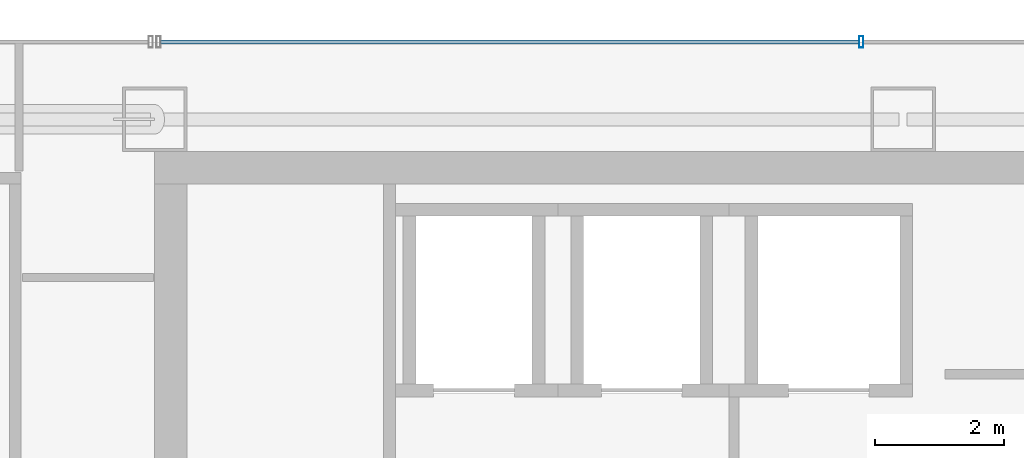
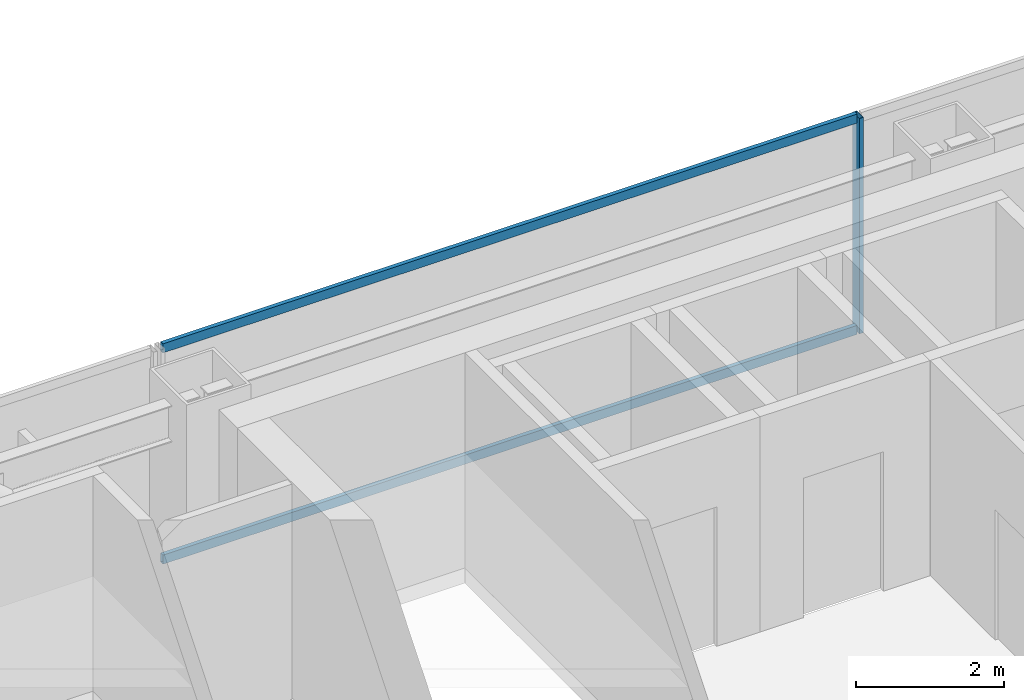
# One storey, part 23 of 37: 3 members, 1 element without a shape of its own.
"""IFC4 building model written with IfcOpenShell, lengths in metres."""

from ifc_helpers import new_model, si_unit, direction, frame, origin, origin_2d, place, context, subcontext, project, spatial, hollow_rectangle, extrude, material, material_profile, profile_set, type_object, element, aggregate, save


model = new_model("IFC4")

# Units and contexts
model_context = context("Model", 3, precision=1e-05, world=origin(), true_north=direction((0.0, 1.0)))
body_context = subcontext(model_context, "Body", "Model", "MODEL_VIEW")
ifc_project = project(units=[si_unit("LENGTHUNIT", "METRE"), si_unit("AREAUNIT", "SQUARE_METRE"), si_unit("VOLUMEUNIT", "CUBIC_METRE"), si_unit("PLANEANGLEUNIT", "RADIAN"), si_unit("MASSUNIT", "GRAM", prefix="KILO")], contexts=[model_context])

# Site, building, storey
site_placement = place(None, origin())
site = spatial("IfcSite", under=ifc_project, at=site_placement, CompositionType="ELEMENT")
building_placement = place(site_placement, origin())
building = spatial("IfcBuilding", under=site, at=building_placement, Name="Saevonmaru Cultural Tower", CompositionType="ELEMENT")
storey_placement = place(building_placement, frame((0.0, 0.0, 160.0)))
storey = spatial("IfcBuildingStorey", under=building, at=storey_placement, Name="L35", CompositionType="ELEMENT", Elevation=160.0)

# Curtain wall, members
ifc_material = material(Name="Satin Bronze Anodised Aluminium", Category="aluminium")
curtain_wall_type = type_object("IfcCurtainWallType", Name="CW-TYP-A", PredefinedType="NOTDEFINED", material=ifc_material)
curtain_wall_placement = place(storey_placement, origin())
curtain_wall = element("IfcCurtainWall", 1, at=curtain_wall_placement, inside=storey, type_object=curtain_wall_type, Name="L35 North Spine Unitised Curtain Wall E10B", PredefinedType="NOTDEFINED")
ifc_material_profile_1 = material_profile(ifc_material, hollow_rectangle(XDim=0.06494140625, YDim=0.179931640625, WallThickness=0.00390625, at=origin_2d()), Name="ALU-MULL-180x65x4")
ifc_profile_set_1 = profile_set([ifc_material_profile_1], Name="Satin Bronze Anodised Aluminium")
member_type_1 = type_object("IfcMemberType", Name="ML-CW-180x65", PredefinedType="MULLION", material=ifc_profile_set_1)
member_1_placement = place(storey_placement, frame((24.55322265625, 56.0, 0.0), z_axis=(0.0, 0.0, 1.0), x_axis=(-1.0, 0.0, 0.0)))
member_1 = element("IfcMember", 2, at=member_1_placement, type_object=member_type_1, Name="CW-TW-L35-E10B mullion 3", PredefinedType="MULLION", context=body_context, shape_type="SweptSolid", body=[
    extrude(hollow_rectangle(XDim=0.06494140625, YDim=0.179931640625, WallThickness=0.00390625, at=origin_2d()), origin(), (0.0, 0.0, 1.0), 3.550048828125),
])
ifc_material_profile_2 = material_profile(ifc_material, hollow_rectangle(XDim=0.06494140625, YDim=0.14990234375, WallThickness=0.00390625, at=origin_2d()), Name="ALU-TRAN-150x65x4")
ifc_profile_set_2 = profile_set([ifc_material_profile_2], Name="Satin Bronze Anodised Aluminium")
member_type_2 = type_object("IfcMemberType", Name="TR-CW-150x65", PredefinedType="USERDEFINED", material=ifc_profile_set_2)
member_2_placement = place(storey_placement, frame((24.520751953125, 56.0, 0.032470703125), z_axis=(-1.0, 0.0, 0.0), x_axis=(0.0, -1.0, 0.0)))
member_2 = element("IfcMember", 3, at=member_2_placement, type_object=member_type_2, Name="CW-TW-L35-E10B transom 3.1", ObjectType="TRANSOM", PredefinedType="USERDEFINED", context=body_context, shape_type="SweptSolid", body=[
    extrude(hollow_rectangle(XDim=0.06494140625, YDim=0.14990234375, WallThickness=0.00390625, at=origin_2d()), origin(), (0.0, 0.0, 1.0), 10.828369140625),
])
member_3_placement = place(storey_placement, frame((24.520751953125, 56.0, 3.517578125), z_axis=(-1.0, 0.0, 0.0), x_axis=(0.0, -1.0, 0.0)))
member_3 = element("IfcMember", 4, at=member_3_placement, type_object=member_type_2, Name="CW-TW-L35-E10B transom 3.2", ObjectType="TRANSOM", PredefinedType="USERDEFINED", context=body_context, shape_type="SweptSolid", body=[
    extrude(hollow_rectangle(XDim=0.06494140625, YDim=0.14990234375, WallThickness=0.00390625, at=origin_2d()), origin(), (0.0, 0.0, 1.0), 10.828369140625),
])
aggregate(curtain_wall, [member_1, member_2, member_3])

save(model, "model.ifc")
